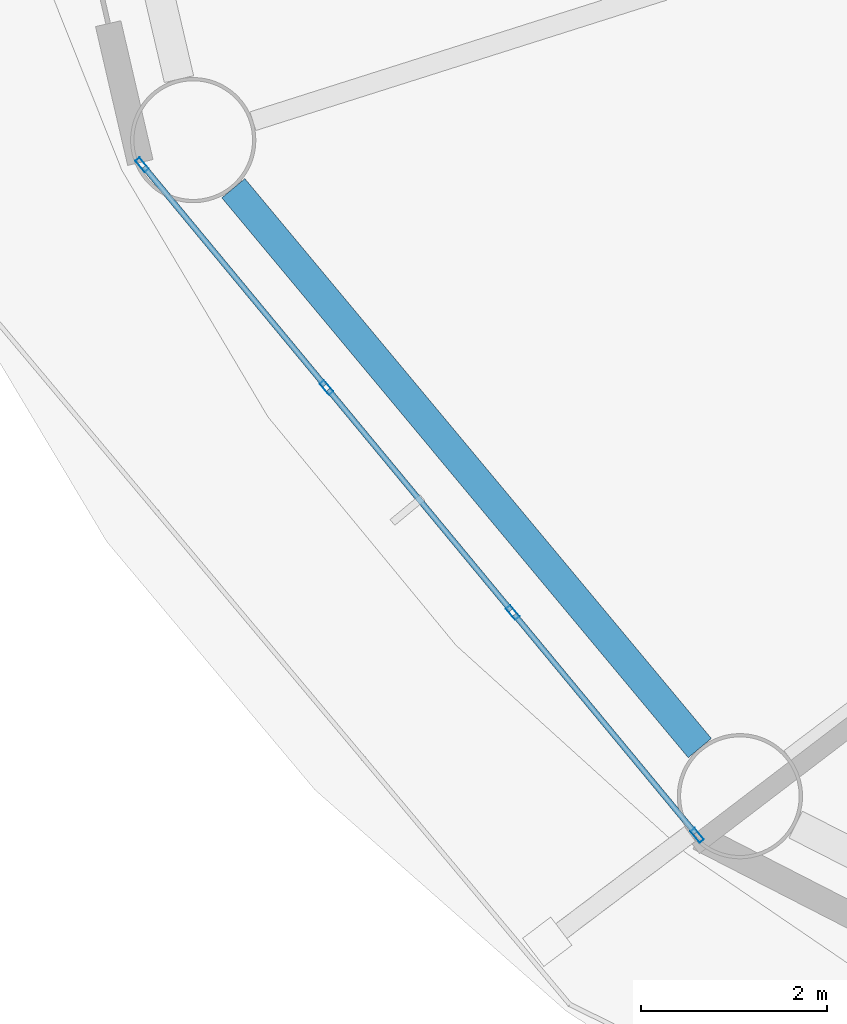
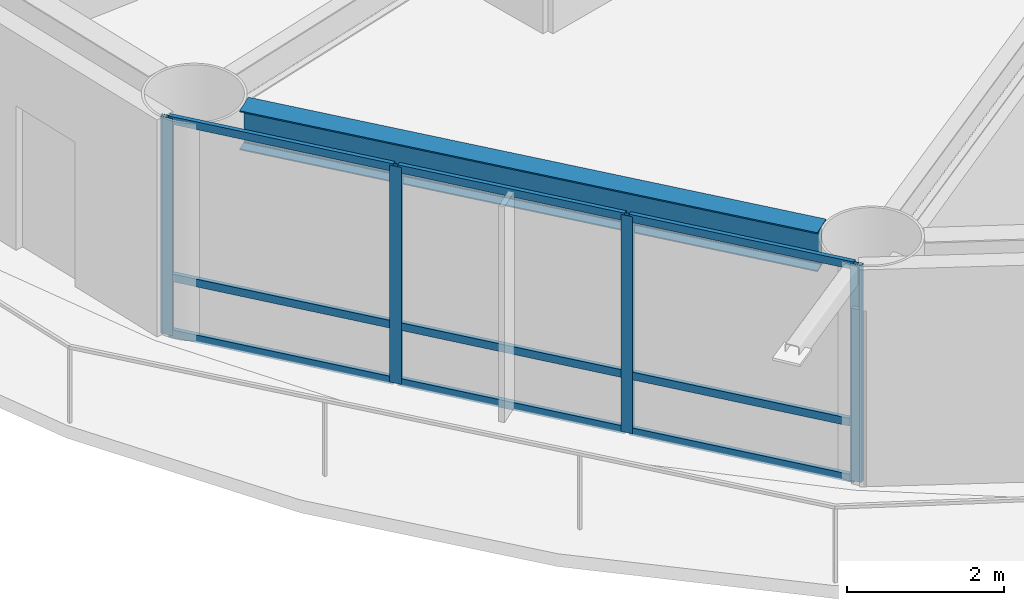
# One storey, part 2 of 24: 13 members, 1 beam, 1 element without a shape of its own.
"""IFC4 building model written with IfcOpenShell, lengths in metres."""

from ifc_helpers import new_model, si_unit, direction, frame, origin, origin_2d, place, context, subcontext, project, spatial, hollow_rectangle, i_section, extrude, material, layer, layer_set, material_profile, profile_set, type_object, element, aggregate, save


model = new_model("IFC4")

# Units and contexts
model_context = context("Model", 3, precision=1e-05, world=origin(), true_north=direction((0.0, 1.0)))
body_context = subcontext(model_context, "Body", "Model", "MODEL_VIEW")
ifc_project = project(units=[si_unit("LENGTHUNIT", "METRE"), si_unit("AREAUNIT", "SQUARE_METRE"), si_unit("VOLUMEUNIT", "CUBIC_METRE"), si_unit("PLANEANGLEUNIT", "RADIAN"), si_unit("MASSUNIT", "GRAM", prefix="KILO")], contexts=[model_context])

# Site, building, storey
site_placement = place(None, origin())
site = spatial("IfcSite", under=ifc_project, at=site_placement, CompositionType="ELEMENT")
building_placement = place(site_placement, origin())
building = spatial("IfcBuilding", under=site, at=building_placement, Name="Sarneth Arch Tower", CompositionType="ELEMENT")
storey_placement = place(building_placement, frame((0.0, 0.0, 127.199951171875)))
storey = spatial("IfcBuildingStorey", under=building, at=storey_placement, Name="L32", CompositionType="ELEMENT", Elevation=127.199951171875)

# Beam
ifc_material_1 = material(Name="Steel S355", Category="steel")
ifc_material_profile_1 = material_profile(ifc_material_1, i_section(OverallWidth=0.323974609375, OverallDepth=0.611083984375, WebThickness=0.0126953125, FlangeThickness=0.01904296875, FilletRadius=0.01904296875, at=origin_2d()), Name="W610x155")
ifc_profile_set_1 = profile_set([ifc_material_profile_1], Name="Steel S355")
beam_type = type_object("IfcBeamType", Name="BM-SPAN-610B", PredefinedType="SPANDREL", material=ifc_profile_set_1)
beam_placement = place(storey_placement, frame((22.140869140625, 33.138916015625, 3.074462890625), z_axis=(0.640169116175, -0.768234015581, 0.0), x_axis=(0.768234015581, 0.640169116175, 0.0)))
element("IfcBeam", 1, at=beam_placement, inside=storey, type_object=beam_type, Name="L32 Perimeter spandrel beam 10", PredefinedType="SPANDREL", context=body_context, shape_type="SweptSolid", body=[
    extrude(i_section(OverallWidth=0.323974609375, OverallDepth=0.611083984375, WebThickness=0.0126953125, FlangeThickness=0.01904296875, FilletRadius=0.01904296875, at=origin_2d()), origin(), (0.0, 0.0, 1.0), 7.856201171875),
])

# Curtain wall, members
ifc_material_2 = material(Name="Anodised aluminium Type AA25 and solar-control low-e laminated IGU", Category="aluminium")
ifc_layer = layer(ifc_material_2, 0.159912109375)
ifc_layer_set = layer_set([ifc_layer], Name="Anodised aluminium Type AA25 and solar-control low-e laminated IGU")
curtain_wall_type = type_object("IfcCurtainWallType", Name="CW-HOTEL-MID", PredefinedType="NOTDEFINED", material=ifc_layer_set)
curtain_wall_placement = place(storey_placement, origin())
curtain_wall = element("IfcCurtainWall", 2, at=curtain_wall_placement, inside=storey, type_object=curtain_wall_type, Name="L32 Unitised curtain wall facet 10", PredefinedType="NOTDEFINED")
ifc_material_3 = material(Name="Anodised Aluminium 6063-T6", Category="aluminium")
ifc_material_profile_2 = material_profile(ifc_material_3, hollow_rectangle(XDim=0.06005859375, YDim=0.159912109375, WallThickness=0.00390625, at=origin_2d()), Name="AL-MULL-160x60x4")
ifc_profile_set_2 = profile_set([ifc_material_profile_2], Name="Anodised Aluminium 6063-T6")
member_type_1 = type_object("IfcMemberType", Name="CW-MULLION", PredefinedType="MULLION", material=ifc_profile_set_2)
member_1_placement = place(storey_placement, frame((21.15771484375, 33.393310546875, 0.0), z_axis=(0.0, 0.0, 1.0), x_axis=(0.770437787363, 0.637515188684, 0.0)))
member_1 = element("IfcMember", 3, at=member_1_placement, type_object=member_type_1, Name="CW-SYS-4 mullion 1", PredefinedType="MULLION", context=body_context, shape_type="SweptSolid", body=[
    extrude(hollow_rectangle(XDim=0.06005859375, YDim=0.159912109375, WallThickness=0.00390625, at=origin_2d()), origin(), (0.0, 0.0, 1.0), 3.380126953125),
])
member_2_placement = place(storey_placement, frame((23.145751953125, 30.99072265625, 0.0), z_axis=(0.0, 0.0, 1.0), x_axis=(0.770437787363, 0.637515188684, 0.0)))
member_2 = element("IfcMember", 4, at=member_2_placement, type_object=member_type_1, Name="CW-SYS-4 mullion 2", PredefinedType="MULLION", context=body_context, shape_type="SweptSolid", body=[
    extrude(hollow_rectangle(XDim=0.06005859375, YDim=0.159912109375, WallThickness=0.00390625, at=origin_2d()), origin(), (0.0, 0.0, 1.0), 3.380126953125),
])
member_3_placement = place(storey_placement, frame((25.15283203125, 28.565185546875, 0.0), z_axis=(0.0, 0.0, 1.0), x_axis=(0.770437787363, 0.637515188684, 0.0)))
member_3 = element("IfcMember", 5, at=member_3_placement, type_object=member_type_1, Name="CW-SYS-4 mullion 3", PredefinedType="MULLION", context=body_context, shape_type="SweptSolid", body=[
    extrude(hollow_rectangle(XDim=0.06005859375, YDim=0.159912109375, WallThickness=0.00390625, at=origin_2d()), origin(), (0.0, 0.0, 1.0), 3.380126953125),
])
member_4_placement = place(storey_placement, frame((27.140869140625, 26.16259765625, 0.0), z_axis=(0.0, 0.0, 1.0), x_axis=(0.770437787363, 0.637515188684, 0.0)))
member_4 = element("IfcMember", 6, at=member_4_placement, type_object=member_type_1, Name="CW-SYS-4 mullion 4", PredefinedType="MULLION", context=body_context, shape_type="SweptSolid", body=[
    extrude(hollow_rectangle(XDim=0.06005859375, YDim=0.159912109375, WallThickness=0.00390625, at=origin_2d()), origin(), (0.0, 0.0, 1.0), 3.380126953125),
])
ifc_material_4 = material(Name="Anodised Aluminium 6063-T6", Category="aluminium")
ifc_material_profile_3 = material_profile(ifc_material_4, hollow_rectangle(XDim=0.06005859375, YDim=0.1201171875, WallThickness=0.00390625, at=origin_2d()), Name="AL-TRAN-120x60x4")
ifc_profile_set_3 = profile_set([ifc_material_profile_3], Name="Anodised Aluminium 6063-T6")
member_type_2 = type_object("IfcMemberType", Name="CW-TRANSOM", PredefinedType="USERDEFINED", material=ifc_profile_set_3)
member_5_placement = place(storey_placement, frame((21.1767578125, 33.3701171875, 0.030029296875), z_axis=(0.637566080343, -0.770395673142, 0.0), x_axis=(0.770395673142, 0.637566080343, 0.0)))
member_5 = element("IfcMember", 7, at=member_5_placement, type_object=member_type_2, Name="CW-SYS-4 transom 1.1", ObjectType="TRANSOM", PredefinedType="USERDEFINED", context=body_context, shape_type="SweptSolid", body=[
    extrude(hollow_rectangle(XDim=0.06005859375, YDim=0.1201171875, WallThickness=0.00390625, at=origin_2d()), origin(), (0.0, 0.0, 1.0), 3.058349609375),
])
member_6_placement = place(storey_placement, frame((21.1767578125, 33.3701171875, 0.900146484375), z_axis=(0.637566080343, -0.770395673142, 0.0), x_axis=(0.770395673142, 0.637566080343, 0.0)))
member_6 = element("IfcMember", 8, at=member_6_placement, type_object=member_type_2, Name="CW-SYS-4 transom 1.2", ObjectType="TRANSOM", PredefinedType="USERDEFINED", context=body_context, shape_type="SweptSolid", body=[
    extrude(hollow_rectangle(XDim=0.06005859375, YDim=0.1201171875, WallThickness=0.00390625, at=origin_2d()), origin(), (0.0, 0.0, 1.0), 3.058349609375),
])
member_7_placement = place(storey_placement, frame((21.1767578125, 33.3701171875, 3.35009765625), z_axis=(0.637566080343, -0.770395673142, 0.0), x_axis=(0.770395673142, 0.637566080343, 0.0)))
member_7 = element("IfcMember", 9, at=member_7_placement, type_object=member_type_2, Name="CW-SYS-4 transom 1.3", ObjectType="TRANSOM", PredefinedType="USERDEFINED", context=body_context, shape_type="SweptSolid", body=[
    extrude(hollow_rectangle(XDim=0.06005859375, YDim=0.1201171875, WallThickness=0.00390625, at=origin_2d()), origin(), (0.0, 0.0, 1.0), 3.058349609375),
])
member_8_placement = place(storey_placement, frame((23.164794921875, 30.9677734375, 0.030029296875), z_axis=(0.637536975021, -0.770419759275, 0.0), x_axis=(0.770419759275, 0.637536975021, 0.0)))
member_8 = element("IfcMember", 10, at=member_8_placement, type_object=member_type_2, Name="CW-SYS-4 transom 2.1", ObjectType="TRANSOM", PredefinedType="USERDEFINED", context=body_context, shape_type="SweptSolid", body=[
    extrude(hollow_rectangle(XDim=0.06005859375, YDim=0.1201171875, WallThickness=0.00390625, at=origin_2d()), origin(), (0.0, 0.0, 1.0), 3.08837890625),
])
member_9_placement = place(storey_placement, frame((23.164794921875, 30.9677734375, 0.900146484375), z_axis=(0.637536975021, -0.770419759275, 0.0), x_axis=(0.770419759275, 0.637536975021, 0.0)))
member_9 = element("IfcMember", 11, at=member_9_placement, type_object=member_type_2, Name="CW-SYS-4 transom 2.2", ObjectType="TRANSOM", PredefinedType="USERDEFINED", context=body_context, shape_type="SweptSolid", body=[
    extrude(hollow_rectangle(XDim=0.06005859375, YDim=0.1201171875, WallThickness=0.00390625, at=origin_2d()), origin(), (0.0, 0.0, 1.0), 3.08837890625),
])
member_10_placement = place(storey_placement, frame((23.164794921875, 30.9677734375, 3.35009765625), z_axis=(0.637536975021, -0.770419759275, 0.0), x_axis=(0.770419759275, 0.637536975021, 0.0)))
member_10 = element("IfcMember", 12, at=member_10_placement, type_object=member_type_2, Name="CW-SYS-4 transom 2.3", ObjectType="TRANSOM", PredefinedType="USERDEFINED", context=body_context, shape_type="SweptSolid", body=[
    extrude(hollow_rectangle(XDim=0.06005859375, YDim=0.1201171875, WallThickness=0.00390625, at=origin_2d()), origin(), (0.0, 0.0, 1.0), 3.08837890625),
])
member_11_placement = place(storey_placement, frame((25.171875, 28.5419921875, 0.030029296875), z_axis=(0.637566080343, -0.770395673142, 0.0), x_axis=(0.770395673142, 0.637566080343, 0.0)))
member_11 = element("IfcMember", 13, at=member_11_placement, type_object=member_type_2, Name="CW-SYS-4 transom 3.1", ObjectType="TRANSOM", PredefinedType="USERDEFINED", context=body_context, shape_type="SweptSolid", body=[
    extrude(hollow_rectangle(XDim=0.06005859375, YDim=0.1201171875, WallThickness=0.00390625, at=origin_2d()), origin(), (0.0, 0.0, 1.0), 3.058349609375),
])
member_12_placement = place(storey_placement, frame((25.171875, 28.5419921875, 0.900146484375), z_axis=(0.637566080343, -0.770395673142, 0.0), x_axis=(0.770395673142, 0.637566080343, 0.0)))
member_12 = element("IfcMember", 14, at=member_12_placement, type_object=member_type_2, Name="CW-SYS-4 transom 3.2", ObjectType="TRANSOM", PredefinedType="USERDEFINED", context=body_context, shape_type="SweptSolid", body=[
    extrude(hollow_rectangle(XDim=0.06005859375, YDim=0.1201171875, WallThickness=0.00390625, at=origin_2d()), origin(), (0.0, 0.0, 1.0), 3.058349609375),
])
member_13_placement = place(storey_placement, frame((25.171875, 28.5419921875, 3.35009765625), z_axis=(0.637566080343, -0.770395673142, 0.0), x_axis=(0.770395673142, 0.637566080343, 0.0)))
member_13 = element("IfcMember", 15, at=member_13_placement, type_object=member_type_2, Name="CW-SYS-4 transom 3.3", ObjectType="TRANSOM", PredefinedType="USERDEFINED", context=body_context, shape_type="SweptSolid", body=[
    extrude(hollow_rectangle(XDim=0.06005859375, YDim=0.1201171875, WallThickness=0.00390625, at=origin_2d()), origin(), (0.0, 0.0, 1.0), 3.058349609375),
])
aggregate(curtain_wall, [member_1, member_2, member_3, member_4, member_5, member_6, member_7, member_8, member_9, member_10, member_11, member_12, member_13])

save(model, "model.ifc")
